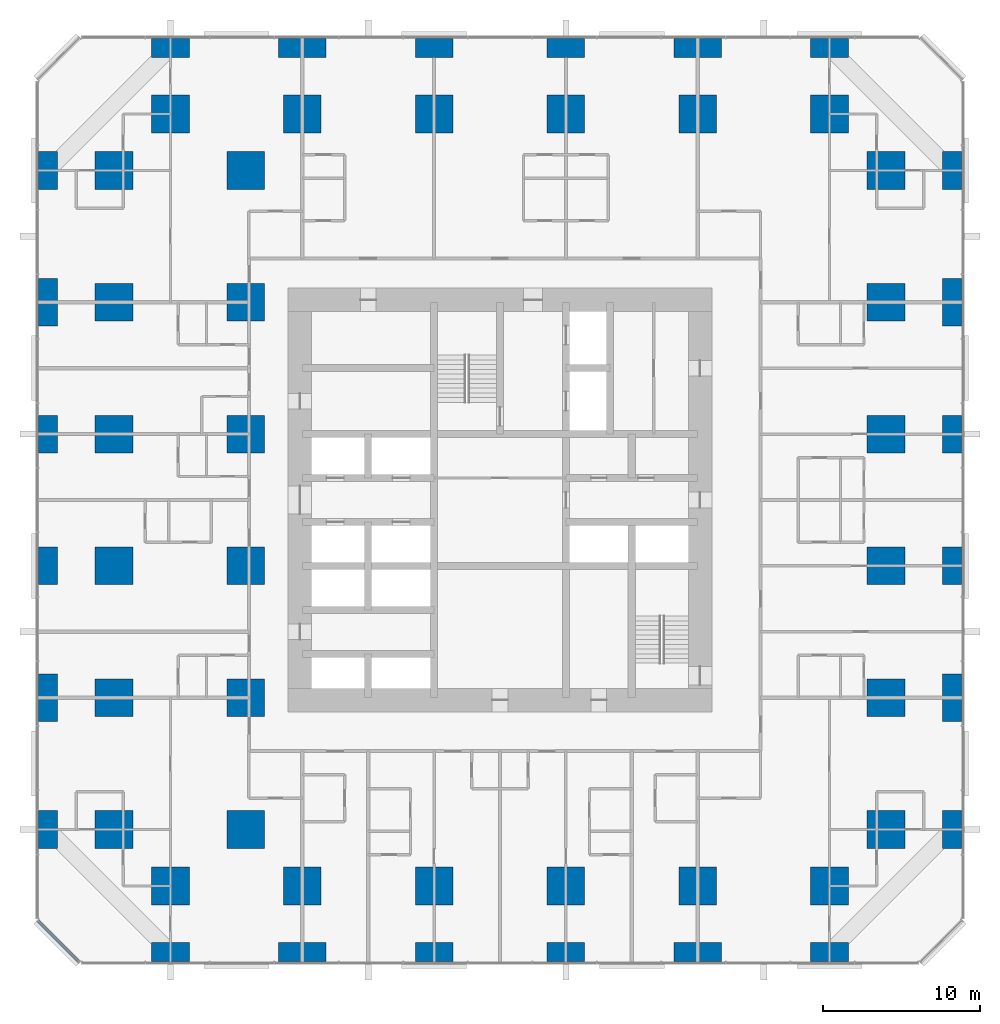
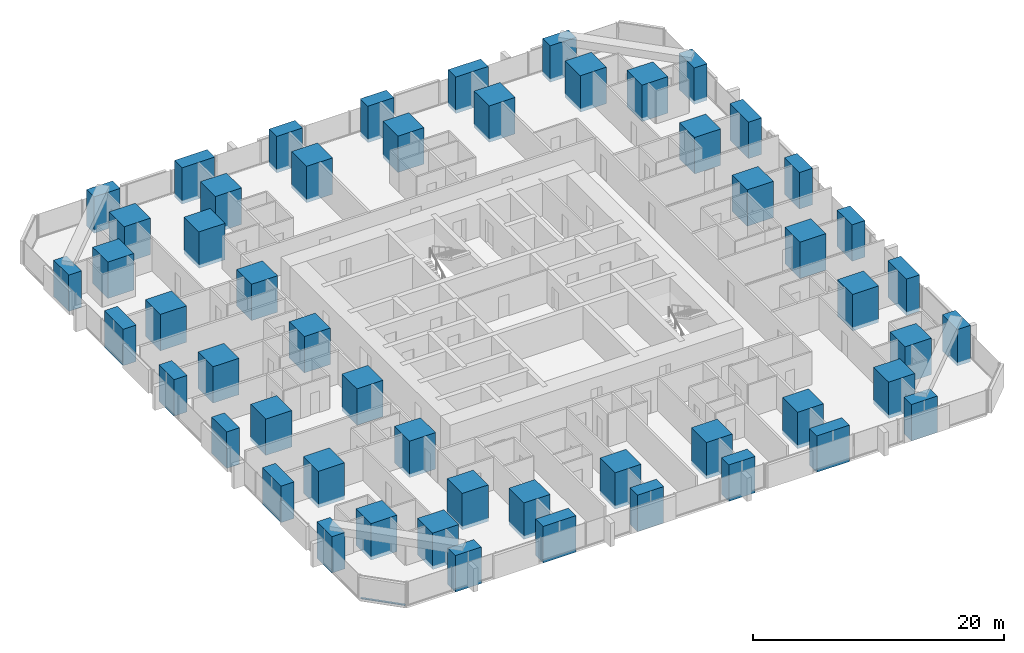
# One storey, part 1 of 16: 54 columns, 1 member, 1 element without a shape of its own.
"""IFC4 building model written with IfcOpenShell, lengths in metres."""

import ifcopenshell
import ifcopenshell.guid

model = None  # the IFC model being written
_history = None  # IfcOwnerHistory: only IFC2X3 demands one
_inside = {}  # id of a spatial element -> (the spatial element, [elements in it])
_under = {}  # id of a project, library or spatial element -> (it, [spatial elements below it])
_declared = {}  # id of a project -> (the project, [libraries it declares])
_typed = {}  # id of a type object -> (the type object, [elements of that type])
_made_of = {}  # id of a material, layer set ... -> (it, [elements and type objects made of it])


def new_model(schema):
    """Start an empty IFC model of exactly this schema.

    Asked for "IFC4X3", IfcOpenShell would pick the latest addendum, in which some entities
    have other attributes; the version numbers below select the first issue.
    IFC2X3 requires an IfcOwnerHistory on every rooted entity: one is made here for all.
    """
    global model, _history
    if schema == "IFC4X3":
        model = ifcopenshell.file(schema_version=(4, 3, 0, 0))
    else:
        model = ifcopenshell.file(schema=schema)
    _inside.clear()
    _under.clear()
    _declared.clear()
    _typed.clear()
    _made_of.clear()
    _history = None
    if model.schema == "IFC2X3":
        org = make("IfcOrganization", Name="unknown")
        user = make(
            "IfcPersonAndOrganization",
            ThePerson=make("IfcPerson", FamilyName="unknown"),
            TheOrganization=org,
        )
        app = make(
            "IfcApplication",
            ApplicationDeveloper=org,
            Version="unknown",
            ApplicationFullName="unknown",
            ApplicationIdentifier="unknown",
        )
        _history = make(
            "IfcOwnerHistory",
            OwningUser=user,
            OwningApplication=app,
            ChangeAction="ADDED",
            CreationDate=0,
        )
    return model


def make(cls, **values):
    """One entity of the class cls with the attributes given. An attribute that is None is left unset."""
    return model.create_entity(
        cls, **{name: value for name, value in values.items() if value is not None}
    )


def rooted(cls, **values):
    """An entity with a GlobalId (a new one), such as an element, a storey or a relation."""
    return make(cls, GlobalId=ifcopenshell.guid.new(), OwnerHistory=_history, **values)


def si_unit(unit_type, name, prefix=None):
    """IfcSIUnit, for example si_unit("LENGTHUNIT", "METRE", prefix="MILLI")."""
    return make("IfcSIUnit", UnitType=unit_type, Prefix=prefix, Name=name)


def assignment(units):
    """IfcUnitAssignment: the units of a project."""
    return None if units is None else make("IfcUnitAssignment", Units=units)


def point(xyz):
    """IfcCartesianPoint."""
    return None if xyz is None else make("IfcCartesianPoint", Coordinates=xyz)


def direction(xyz):
    """IfcDirection."""
    return None if xyz is None else make("IfcDirection", DirectionRatios=xyz)


def frame(location, z_axis=None, x_axis=None):
    """IfcAxis2Placement3D, a coordinate frame: its origin and axes. An axis left out is left unset."""
    return make(
        "IfcAxis2Placement3D",
        Location=point(location),
        Axis=direction(z_axis),
        RefDirection=direction(x_axis),
    )


def frame_2d(location, x_axis=None):
    """IfcAxis2Placement2D, a coordinate frame in the plane: its origin and x axis."""
    return make(
        "IfcAxis2Placement2D", Location=point(location), RefDirection=direction(x_axis)
    )


def origin():
    """The frame at (0, 0, 0) with its axes left unset."""
    return frame((0.0, 0.0, 0.0))


def origin_2d():
    """The frame at (0, 0) in the plane with its x axis left unset."""
    return frame_2d((0.0, 0.0))


def place(relative_to, where):
    """IfcLocalPlacement: puts the frame where relative to a parent placement (None: the world)."""
    return make(
        "IfcLocalPlacement", PlacementRelTo=relative_to, RelativePlacement=where
    )


def context(
    kind, dimensions, precision=None, world=None, true_north=None, identifier=None
):
    """IfcGeometricRepresentationContext, for example the 3D "Model" context."""
    return make(
        "IfcGeometricRepresentationContext",
        ContextIdentifier=identifier,
        ContextType=kind,
        CoordinateSpaceDimension=dimensions,
        Precision=precision,
        WorldCoordinateSystem=world,
        TrueNorth=true_north,
    )


def subcontext(parent, identifier, kind, view, scale=None):
    """IfcGeometricRepresentationSubContext, for example "Body" below "Model"."""
    return make(
        "IfcGeometricRepresentationSubContext",
        ContextIdentifier=identifier,
        ContextType=kind,
        ParentContext=parent,
        TargetScale=scale,
        TargetView=view,
    )


def project(units=None, contexts=None):
    """IfcProject with its units and contexts."""
    return rooted(
        "IfcProject",
        Name="project",
        RepresentationContexts=contexts,
        UnitsInContext=assignment(units),
    )


def spatial(cls, under=None, at=None, **own):
    """A site, building, storey or space (cls), placed at a placement, below another one or the project."""
    s = rooted(cls, ObjectPlacement=at, **own)
    if under is not None:
        _under.setdefault(under.id(), (under, []))[1].append(s)
    return s


def profile(cls, at=None, kind="AREA", **sizes):
    """A parametric profile (cls). Its sizes go by their IFC names, for example OverallWidth=200.0."""
    return make(cls, ProfileType=kind, Position=at, **sizes)


def rectangle(**sizes):
    """IfcRectangleProfileDef."""
    return profile("IfcRectangleProfileDef", **sizes)


def extrude(swept, where, along, depth):
    """IfcExtrudedAreaSolid: the profile swept, set in the frame where, extruded along a direction by depth."""
    return make(
        "IfcExtrudedAreaSolid",
        SweptArea=swept,
        Position=where,
        ExtrudedDirection=direction(along),
        Depth=depth,
    )


def shape(context_of_items, identifier, shape_type, items):
    """IfcShapeRepresentation: the items that make up one representation, for example the "Body"."""
    return make(
        "IfcShapeRepresentation",
        ContextOfItems=context_of_items,
        RepresentationIdentifier=identifier,
        RepresentationType=shape_type,
        Items=items,
    )


def material(Name=None, Category=None):
    """IfcMaterial."""
    return make("IfcMaterial", Name=Name, Category=Category)


def material_profile(
    of_material, cross_section, Name=None, Category=None, Priority=None
):
    """IfcMaterialProfile: a cross section and its material."""
    return make(
        "IfcMaterialProfile",
        Name=Name,
        Material=of_material,
        Profile=cross_section,
        Priority=Priority,
        Category=Category,
    )


def profile_set(profiles, Name=None, composite=None):
    """IfcMaterialProfileSet."""
    return make(
        "IfcMaterialProfileSet",
        Name=Name,
        MaterialProfiles=profiles,
        CompositeProfile=composite,
    )


def made_of(thing, what):
    """Note that an element or type object is made of a material, layer set ...; save() writes the relation."""
    if what is not None:
        _made_of.setdefault(what.id(), (what, []))[1].append(thing)
    return thing


def type_object(cls, material=None, **own):
    """A type object (cls), such as IfcWallType, which elements share."""
    return made_of(rooted(cls, **own), material)


def element(
    cls,
    number,
    at=None,
    inside=None,
    cuts=None,
    type_object=None,
    material=None,
    context=None,
    identifier="Body",
    shape_type=None,
    held_by="IfcProductDefinitionShape",
    body=None,
    shapes=None,
    **own,
):
    """One element of the class cls, such as IfcWall. Its Tag is "e" and its number.

    at: its placement. inside: the storey or other place that contains it. cuts: it is an
    opening in that element (IfcRelVoidsElement). A single representation is given by context,
    identifier, shape_type and body (its items); several are given by shapes. held_by: the class
    of the entity that holds the representations. save() writes the other relations.
    """
    e = rooted(cls, Tag="e%d" % number, ObjectPlacement=at, **own)
    if body is not None:
        shapes = [shape(context, identifier, shape_type, body)]
    if shapes is not None:
        e.Representation = make(held_by, Representations=shapes)
    if inside is not None:
        _inside.setdefault(inside.id(), (inside, []))[1].append(e)
    if cuts is not None:
        rooted(
            "IfcRelVoidsElement", RelatingBuildingElement=cuts, RelatedOpeningElement=e
        )
    if type_object is not None:
        _typed.setdefault(type_object.id(), (type_object, []))[1].append(e)
    return made_of(e, material)


def aggregate(whole, parts):
    """IfcRelAggregates: a whole, such as a stair, and the parts it consists of."""
    return rooted("IfcRelAggregates", RelatingObject=whole, RelatedObjects=parts)


def save(model, path):
    """Write the relations noted so far, then the file.

    IfcRelAggregates (storeys below a building ...), IfcRelContainedInSpatialStructure (elements
    in a storey), IfcRelDefinesByType, IfcRelAssociatesMaterial and IfcRelDeclares: one each for
    every whole, place, type object, material and project.
    """
    for whole, parts in _under.values():
        aggregate(whole, parts)
    for where, things in _inside.values():
        rooted(
            "IfcRelContainedInSpatialStructure",
            RelatedElements=things,
            RelatingStructure=where,
        )
    for kind, things in _typed.values():
        rooted("IfcRelDefinesByType", RelatedObjects=things, RelatingType=kind)
    for what, things in _made_of.values():
        rooted("IfcRelAssociatesMaterial", RelatedObjects=things, RelatingMaterial=what)
    for by, libraries in _declared.values():
        rooted("IfcRelDeclares", RelatingContext=by, RelatedDefinitions=libraries)
    model.write(path)


model = new_model("IFC4")

# Units and contexts
model_context = context("Model", 3, precision=1e-05, world=origin(), true_north=direction((0.0, 1.0)))
body_context = subcontext(model_context, "Body", "Model", "MODEL_VIEW")
ifc_project = project(units=[si_unit("LENGTHUNIT", "METRE"), si_unit("AREAUNIT", "SQUARE_METRE"), si_unit("VOLUMEUNIT", "CUBIC_METRE"), si_unit("PLANEANGLEUNIT", "RADIAN"), si_unit("MASSUNIT", "GRAM", prefix="KILO")], contexts=[model_context])

# Site, building, storey
site_placement = place(None, origin())
site = spatial("IfcSite", under=ifc_project, at=site_placement, CompositionType="ELEMENT")
building_placement = place(site_placement, origin())
building = spatial("IfcBuilding", under=site, at=building_placement, Name="Dunama Terrace Hotel", CompositionType="ELEMENT")
storey_placement = place(building_placement, frame((0.0, 0.0, 84.60009765625)))
storey = spatial("IfcBuildingStorey", under=building, at=storey_placement, Name="L21", CompositionType="ELEMENT", Elevation=84.60009765625)

# Columns
ifc_material_1 = material(Name="Concrete C60/75", Category="concrete")
ifc_material_profile_1 = material_profile(ifc_material_1, rectangle(XDim=1.199951171875, YDim=2.39990234375, at=origin_2d()), Name="RC 1200x2400")
ifc_profile_set_1 = profile_set([ifc_material_profile_1], Name="Concrete C60/75")
column_type_1 = type_object("IfcColumnType", Name="Column RC 1200x2400", PredefinedType="COLUMN", material=ifc_profile_set_1)
for number, where, z_axis, x_axis, name in (
    (1, (0.60009765625, 8.39990234375, -0.35009765625), (0.0, 0.0, 1.0), (1.0, 0.0, 0.0), "Column L21 +0.6/+8.4"),
    (2, (0.60009765625, 25.199951171875, -0.35009765625), (0.0, 0.0, 1.0), (1.0, 0.0, 0.0), "Column L21 +0.6/+25.2"),
    (3, (0.60009765625, 33.60009765625, -0.35009765625), (0.0, 0.0, 1.0), (1.0, 0.0, 0.0), "Column L21 +0.6/+33.6"),
    (4, (0.60009765625, 50.39990234375, -0.35009765625), (0.0, 0.0, 1.0), (1.0, 0.0, 0.0), "Column L21 +0.6/+50.4"),
    (5, (58.199951171875, 8.39990234375, -0.35009765625), (0.0, 0.0, 1.0), (1.0, 0.0, 0.0), "Column L21 +58.2/+8.4"),
    (6, (58.199951171875, 25.199951171875, -0.35009765625), (0.0, 0.0, 1.0), (1.0, 0.0, 0.0), "Column L21 +58.2/+25.2"),
    (7, (58.199951171875, 33.60009765625, -0.35009765625), (0.0, 0.0, 1.0), (1.0, 0.0, 0.0), "Column L21 +58.2/+33.6"),
    (8, (58.199951171875, 50.39990234375, -0.35009765625), (0.0, 0.0, 1.0), (1.0, 0.0, 0.0), "Column L21 +58.2/+50.4"),
):
    element("IfcColumn", number, at=place(storey_placement, frame(where, z_axis=z_axis, x_axis=x_axis)), inside=storey, type_object=column_type_1, Name=name, PredefinedType="COLUMN", context=body_context, shape_type="SweptSolid", body=[
        extrude(rectangle(XDim=1.199951171875, YDim=2.39990234375, at=origin_2d()), origin(), (0.0, 0.0, 1.0), 3.550048828125),
    ])
ifc_material_2 = material(Name="Concrete C60/75", Category="concrete")
ifc_material_profile_2 = material_profile(ifc_material_2, rectangle(XDim=1.199951171875, YDim=3.0, at=origin_2d()), Name="RC 1200x3000")
ifc_profile_set_2 = profile_set([ifc_material_profile_2], Name="Concrete C60/75")
column_type_2 = type_object("IfcColumnType", Name="Column RC 1200x3000", PredefinedType="COLUMN", material=ifc_profile_set_2)
for number, where, z_axis, x_axis, name in (
    (9, (0.60009765625, 16.800048828125, -0.35009765625), (0.0, 0.0, 1.0), (1.0, 0.0, 0.0), "Column L21 +0.6/+16.8"),
    (10, (0.60009765625, 42.0, -0.35009765625), (0.0, 0.0, 1.0), (1.0, 0.0, 0.0), "Column L21 +0.6/+42.0"),
    (11, (58.199951171875, 16.800048828125, -0.35009765625), (0.0, 0.0, 1.0), (1.0, 0.0, 0.0), "Column L21 +58.2/+16.8"),
    (12, (58.199951171875, 42.0, -0.35009765625), (0.0, 0.0, 1.0), (1.0, 0.0, 0.0), "Column L21 +58.2/+42.0"),
):
    element("IfcColumn", number, at=place(storey_placement, frame(where, z_axis=z_axis, x_axis=x_axis)), inside=storey, type_object=column_type_2, Name=name, PredefinedType="COLUMN", context=body_context, shape_type="SweptSolid", body=[
        extrude(rectangle(XDim=1.199951171875, YDim=3.0, at=origin_2d()), origin(), (0.0, 0.0, 1.0), 3.550048828125),
    ])
ifc_material_3 = material(Name="Concrete C60/75", Category="concrete")
ifc_material_profile_3 = material_profile(ifc_material_3, rectangle(XDim=2.39990234375, YDim=1.199951171875, at=origin_2d()), Name="RC 2400x1200")
ifc_profile_set_3 = profile_set([ifc_material_profile_3], Name="Concrete C60/75")
column_type_3 = type_object("IfcColumnType", Name="Column RC 2400x1200", PredefinedType="COLUMN", material=ifc_profile_set_3)
for number, where, z_axis, x_axis, name in (
    (13, (8.39990234375, 0.60009765625, -0.35009765625), (0.0, 0.0, 1.0), (1.0, 0.0, 0.0), "Column L21 +8.4/+0.6"),
    (14, (8.39990234375, 58.199951171875, -0.35009765625), (0.0, 0.0, 1.0), (1.0, 0.0, 0.0), "Column L21 +8.4/+58.2"),
    (15, (25.199951171875, 0.60009765625, -0.35009765625), (0.0, 0.0, 1.0), (1.0, 0.0, 0.0), "Column L21 +25.2/+0.6"),
    (16, (25.199951171875, 58.199951171875, -0.35009765625), (0.0, 0.0, 1.0), (1.0, 0.0, 0.0), "Column L21 +25.2/+58.2"),
    (17, (33.60009765625, 0.60009765625, -0.35009765625), (0.0, 0.0, 1.0), (1.0, 0.0, 0.0), "Column L21 +33.6/+0.6"),
    (18, (33.60009765625, 58.199951171875, -0.35009765625), (0.0, 0.0, 1.0), (1.0, 0.0, 0.0), "Column L21 +33.6/+58.2"),
    (19, (50.39990234375, 0.60009765625, -0.35009765625), (0.0, 0.0, 1.0), (1.0, 0.0, 0.0), "Column L21 +50.4/+0.6"),
    (20, (50.39990234375, 58.199951171875, -0.35009765625), (0.0, 0.0, 1.0), (1.0, 0.0, 0.0), "Column L21 +50.4/+58.2"),
):
    element("IfcColumn", number, at=place(storey_placement, frame(where, z_axis=z_axis, x_axis=x_axis)), inside=storey, type_object=column_type_3, Name=name, PredefinedType="COLUMN", context=body_context, shape_type="SweptSolid", body=[
        extrude(rectangle(XDim=2.39990234375, YDim=1.199951171875, at=origin_2d()), origin(), (0.0, 0.0, 1.0), 3.550048828125),
    ])
ifc_material_4 = material(Name="Concrete C60/75", Category="concrete")
ifc_material_profile_4 = material_profile(ifc_material_4, rectangle(XDim=2.39990234375, YDim=2.39990234375, at=origin_2d()), Name="RC 2400x2400")
ifc_profile_set_4 = profile_set([ifc_material_profile_4], Name="Concrete C60/75")
column_type_4 = type_object("IfcColumnType", Name="Column RC 2400x2400", PredefinedType="COLUMN", material=ifc_profile_set_4)
for number, where, z_axis, x_axis, name in (
    (21, (4.800048828125, 8.39990234375, -0.35009765625), (0.0, 0.0, 1.0), (1.0, 0.0, 0.0), "Column L21 +4.8/+8.4"),
    (22, (4.800048828125, 16.800048828125, -0.35009765625), (0.0, 0.0, 1.0), (1.0, 0.0, 0.0), "Column L21 +4.8/+16.8"),
    (23, (4.800048828125, 25.199951171875, -0.35009765625), (0.0, 0.0, 1.0), (1.0, 0.0, 0.0), "Column L21 +4.8/+25.2"),
    (24, (4.800048828125, 33.60009765625, -0.35009765625), (0.0, 0.0, 1.0), (1.0, 0.0, 0.0), "Column L21 +4.8/+33.6"),
    (25, (4.800048828125, 42.0, -0.35009765625), (0.0, 0.0, 1.0), (1.0, 0.0, 0.0), "Column L21 +4.8/+42.0"),
    (26, (4.800048828125, 50.39990234375, -0.35009765625), (0.0, 0.0, 1.0), (1.0, 0.0, 0.0), "Column L21 +4.8/+50.4"),
    (27, (8.39990234375, 4.800048828125, -0.35009765625), (0.0, 0.0, 1.0), (1.0, 0.0, 0.0), "Column L21 +8.4/+4.8"),
    (28, (8.39990234375, 54.0, -0.35009765625), (0.0, 0.0, 1.0), (1.0, 0.0, 0.0), "Column L21 +8.4/+54.0"),
    (29, (13.199951171875, 8.39990234375, -0.35009765625), (0.0, 0.0, 1.0), (1.0, 0.0, 0.0), "Column L21 +13.2/+8.4"),
    (30, (13.199951171875, 16.800048828125, -0.35009765625), (0.0, 0.0, 1.0), (1.0, 0.0, 0.0), "Column L21 +13.2/+16.8"),
    (31, (13.199951171875, 25.199951171875, -0.35009765625), (0.0, 0.0, 1.0), (1.0, 0.0, 0.0), "Column L21 +13.2/+25.2"),
    (32, (13.199951171875, 33.60009765625, -0.35009765625), (0.0, 0.0, 1.0), (1.0, 0.0, 0.0), "Column L21 +13.2/+33.6"),
    (33, (13.199951171875, 42.0, -0.35009765625), (0.0, 0.0, 1.0), (1.0, 0.0, 0.0), "Column L21 +13.2/+42.0"),
    (34, (13.199951171875, 50.39990234375, -0.35009765625), (0.0, 0.0, 1.0), (1.0, 0.0, 0.0), "Column L21 +13.2/+50.4"),
    (35, (16.800048828125, 4.800048828125, -0.35009765625), (0.0, 0.0, 1.0), (1.0, 0.0, 0.0), "Column L21 +16.8/+4.8"),
    (36, (16.800048828125, 54.0, -0.35009765625), (0.0, 0.0, 1.0), (1.0, 0.0, 0.0), "Column L21 +16.8/+54.0"),
    (37, (25.199951171875, 4.800048828125, -0.35009765625), (0.0, 0.0, 1.0), (1.0, 0.0, 0.0), "Column L21 +25.2/+4.8"),
    (38, (25.199951171875, 54.0, -0.35009765625), (0.0, 0.0, 1.0), (1.0, 0.0, 0.0), "Column L21 +25.2/+54.0"),
    (39, (33.60009765625, 4.800048828125, -0.35009765625), (0.0, 0.0, 1.0), (1.0, 0.0, 0.0), "Column L21 +33.6/+4.8"),
    (40, (33.60009765625, 54.0, -0.35009765625), (0.0, 0.0, 1.0), (1.0, 0.0, 0.0), "Column L21 +33.6/+54.0"),
    (41, (42.0, 4.800048828125, -0.35009765625), (0.0, 0.0, 1.0), (1.0, 0.0, 0.0), "Column L21 +42.0/+4.8"),
    (42, (42.0, 54.0, -0.35009765625), (0.0, 0.0, 1.0), (1.0, 0.0, 0.0), "Column L21 +42.0/+54.0"),
    (43, (50.39990234375, 4.800048828125, -0.35009765625), (0.0, 0.0, 1.0), (1.0, 0.0, 0.0), "Column L21 +50.4/+4.8"),
    (44, (50.39990234375, 54.0, -0.35009765625), (0.0, 0.0, 1.0), (1.0, 0.0, 0.0), "Column L21 +50.4/+54.0"),
    (45, (54.0, 8.39990234375, -0.35009765625), (0.0, 0.0, 1.0), (1.0, 0.0, 0.0), "Column L21 +54.0/+8.4"),
    (46, (54.0, 16.800048828125, -0.35009765625), (0.0, 0.0, 1.0), (1.0, 0.0, 0.0), "Column L21 +54.0/+16.8"),
    (47, (54.0, 25.199951171875, -0.35009765625), (0.0, 0.0, 1.0), (1.0, 0.0, 0.0), "Column L21 +54.0/+25.2"),
    (48, (54.0, 33.60009765625, -0.35009765625), (0.0, 0.0, 1.0), (1.0, 0.0, 0.0), "Column L21 +54.0/+33.6"),
    (49, (54.0, 42.0, -0.35009765625), (0.0, 0.0, 1.0), (1.0, 0.0, 0.0), "Column L21 +54.0/+42.0"),
    (50, (54.0, 50.39990234375, -0.35009765625), (0.0, 0.0, 1.0), (1.0, 0.0, 0.0), "Column L21 +54.0/+50.4"),
):
    element("IfcColumn", number, at=place(storey_placement, frame(where, z_axis=z_axis, x_axis=x_axis)), inside=storey, type_object=column_type_4, Name=name, PredefinedType="COLUMN", context=body_context, shape_type="SweptSolid", body=[
        extrude(rectangle(XDim=2.39990234375, YDim=2.39990234375, at=origin_2d()), origin(), (0.0, 0.0, 1.0), 3.550048828125),
    ])
ifc_material_5 = material(Name="Concrete C60/75", Category="concrete")
ifc_material_profile_5 = material_profile(ifc_material_5, rectangle(XDim=3.0, YDim=1.199951171875, at=origin_2d()), Name="RC 3000x1200")
ifc_profile_set_5 = profile_set([ifc_material_profile_5], Name="Concrete C60/75")
column_type_5 = type_object("IfcColumnType", Name="Column RC 3000x1200", PredefinedType="COLUMN", material=ifc_profile_set_5)
for number, where, z_axis, x_axis, name in (
    (51, (16.800048828125, 0.60009765625, -0.35009765625), (0.0, 0.0, 1.0), (1.0, 0.0, 0.0), "Column L21 +16.8/+0.6"),
    (52, (16.800048828125, 58.199951171875, -0.35009765625), (0.0, 0.0, 1.0), (1.0, 0.0, 0.0), "Column L21 +16.8/+58.2"),
    (53, (42.0, 0.60009765625, -0.35009765625), (0.0, 0.0, 1.0), (1.0, 0.0, 0.0), "Column L21 +42.0/+0.6"),
    (54, (42.0, 58.199951171875, -0.35009765625), (0.0, 0.0, 1.0), (1.0, 0.0, 0.0), "Column L21 +42.0/+58.2"),
):
    element("IfcColumn", number, at=place(storey_placement, frame(where, z_axis=z_axis, x_axis=x_axis)), inside=storey, type_object=column_type_5, Name=name, PredefinedType="COLUMN", context=body_context, shape_type="SweptSolid", body=[
        extrude(rectangle(XDim=3.0, YDim=1.199951171875, at=origin_2d()), origin(), (0.0, 0.0, 1.0), 3.550048828125),
    ])

# Curtain wall, member
ifc_material_6 = material(Name="Aluminium curtain wall system", Category="aluminium")
curtain_wall_type = type_object("IfcCurtainWallType", Name="Unitised fritted glass wall CW-A", PredefinedType="NOTDEFINED", material=ifc_material_6)
curtain_wall_placement = place(storey_placement, origin())
curtain_wall = element("IfcCurtainWall", 55, at=curtain_wall_placement, inside=storey, type_object=curtain_wall_type, Name="Unitised fritted glass wall CW-A L21", PredefinedType="NOTDEFINED")
ifc_material_7 = material(Name="Aluminium transom", Category="aluminium")
ifc_material_profile_6 = material_profile(ifc_material_7, rectangle(XDim=0.179931640625, YDim=0.074951171875, at=origin_2d()), Name="CWA TRANSOM 180X75")
ifc_profile_set_6 = profile_set([ifc_material_profile_6], Name="Aluminium transom")
member_type = type_object("IfcMemberType", Name="CWA transom 180x75", PredefinedType="USERDEFINED", material=ifc_profile_set_6)
member_placement = place(storey_placement, frame((-0.02490234375, 2.5830078125, 0.037353515625), z_axis=(0.707106781187, -0.707106781187, 0.0), x_axis=(0.707106781187, 0.707106781187, 0.0)))
member = element("IfcMember", 56, at=member_placement, type_object=member_type, Name="CWA transom", ObjectType="TRANSOM", PredefinedType="USERDEFINED", context=body_context, shape_type="SweptSolid", body=[
    extrude(rectangle(XDim=0.179931640625, YDim=0.074951171875, at=origin_2d()), origin(), (0.0, 0.0, 1.0), 3.688232421875),
])
aggregate(curtain_wall, [member])

save(model, "model.ifc")
